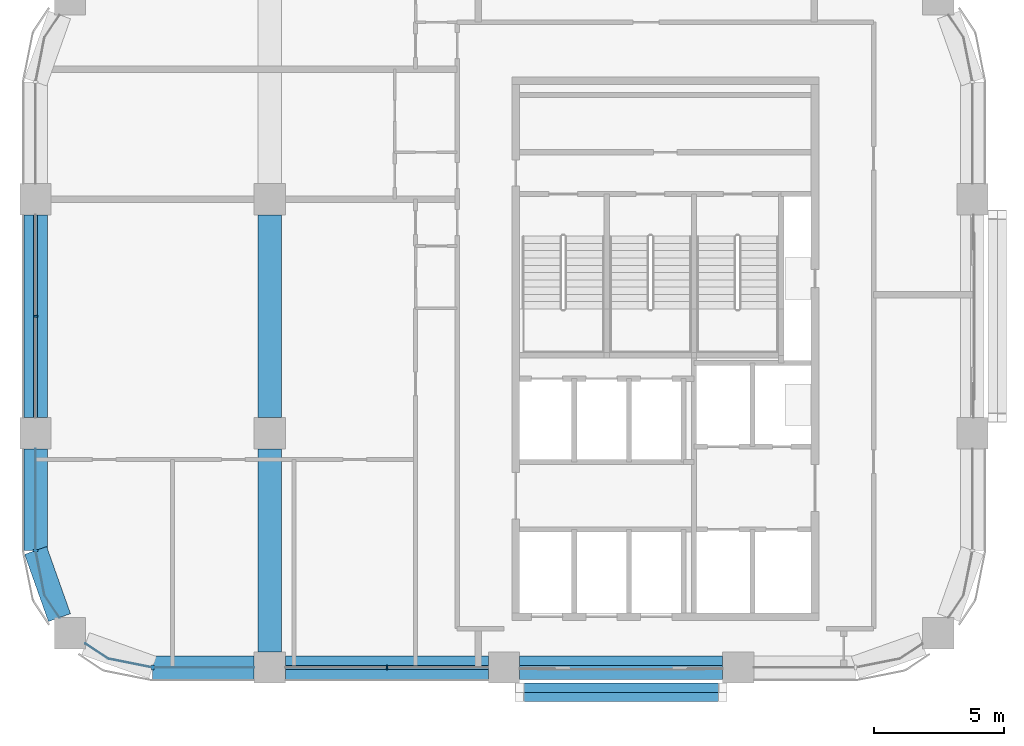
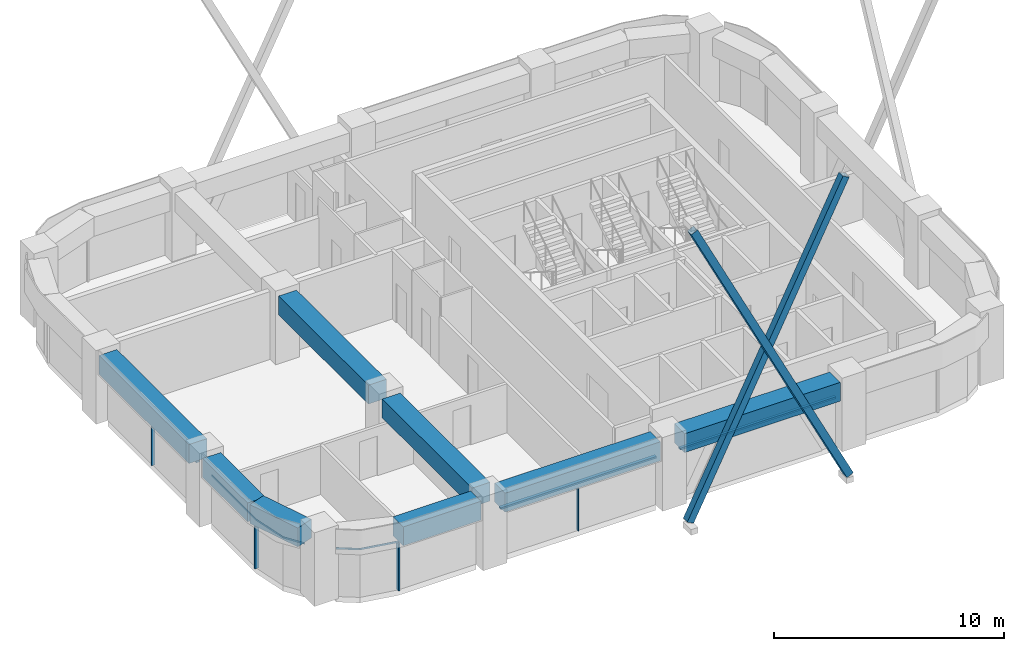
# One storey, part 2 of 10: 11 members, 8 beams, 5 elements without a shape of their own.
"""IFC4 building model written with IfcOpenShell, lengths in metres."""

from ifc_helpers import new_model, si_unit, direction, frame, origin, origin_2d, place, context, subcontext, project, spatial, polyline, rectangle, hollow_rectangle, outline, extrude, material, material_profile, profile_set, type_object, element, aggregate, save


model = new_model("IFC4")

# Units and contexts
model_context = context("Model", 3, precision=1e-05, world=origin(), true_north=direction((0.0, 1.0)))
body_context = subcontext(model_context, "Body", "Model", "MODEL_VIEW")
ifc_project = project(units=[si_unit("LENGTHUNIT", "METRE"), si_unit("AREAUNIT", "SQUARE_METRE"), si_unit("VOLUMEUNIT", "CUBIC_METRE"), si_unit("PLANEANGLEUNIT", "RADIAN"), si_unit("MASSUNIT", "GRAM", prefix="KILO")], contexts=[model_context])

# Site, building, storey
site_placement = place(None, origin())
site = spatial("IfcSite", under=ifc_project, at=site_placement, CompositionType="ELEMENT")
building_placement = place(site_placement, origin())
building = spatial("IfcBuilding", under=site, at=building_placement, Name="Tessera Arch", CompositionType="ELEMENT")
storey_placement = place(building_placement, frame((0.0, 0.0, 301.199951171875)))
storey = spatial("IfcBuildingStorey", under=building, at=storey_placement, Name="L72", CompositionType="ELEMENT", Elevation=301.199951171875)

# Members
ifc_material_1 = material(Name="Steel A500 Gr C", Category="steel")
ifc_material_profile_1 = material_profile(ifc_material_1, hollow_rectangle(XDim=0.355712890625, YDim=0.355712890625, WallThickness=0.01171875, at=origin_2d()), Name="HSS14x14x1/2")
ifc_profile_set_1 = profile_set([ifc_material_profile_1], Name="Steel A500 Gr C")
member_type_1 = type_object("IfcMemberType", Name="Brace HSS14x14x1/2 Steel A500 Gr C", PredefinedType="BRACE", material=ifc_profile_set_1)
for number, where, z_axis, x_axis, name in (
    (1, (36.60009765625, 26.22216796875, -0.800048828125), (0.447202397208, 0.0, 0.894432790058), (0.0, 1.0, 0.0), "Brace S27.18-2 A L72-L75"),
    (2, (44.39990234375, 25.86669921875, -0.800048828125), (-0.447202397208, 0.0, 0.894432790058), (0.0, -1.0, 0.0), "Brace S27.18-2 B L72-L75"),
):
    element("IfcMember", number, at=place(storey_placement, frame(where, z_axis=z_axis, x_axis=x_axis)), inside=storey, type_object=member_type_1, Name=name, PredefinedType="BRACE", context=body_context, shape_type="SweptSolid", body=[
        extrude(hollow_rectangle(XDim=0.355712890625, YDim=0.355712890625, WallThickness=0.01171875, at=origin_2d()), origin(), (0.0, 0.0, 1.0), 17.44140625),
    ])

# Curtain wall, member
ifc_material_2 = material(Name="CW1 curtain wall")
curtain_wall_type_1 = type_object("IfcCurtainWallType", Name="CW1 curtain wall", PredefinedType="NOTDEFINED", material=ifc_material_2)
curtain_wall_1_placement = place(storey_placement, origin())
curtain_wall_1 = element("IfcCurtainWall", 3, at=curtain_wall_1_placement, inside=storey, type_object=curtain_wall_type_1, Name="CW1 curtain wall W18.27/1 L72", PredefinedType="NOTDEFINED")
ifc_material_3 = material(Name="Anodised aluminium pale metal", Category="aluminium")
ifc_material_profile_2 = material_profile(ifc_material_3, rectangle(XDim=0.159912109375, YDim=0.06005859375, at=origin_2d()), Name="AL 60x160")
ifc_profile_set_2 = profile_set([ifc_material_profile_2], Name="Anodised aluminium pale metal")
member_type_2 = type_object("IfcMemberType", Name="CW1 mullion", PredefinedType="MULLION", material=ifc_profile_set_2)
member_1_placement = place(storey_placement, frame((18.0, 40.5, 0.0), z_axis=(0.0, 0.0, 1.0), x_axis=(1.0, 0.0, 0.0)))
member_1 = element("IfcMember", 4, at=member_1_placement, type_object=member_type_2, Name="CW1 mullion W18.27/1 1", PredefinedType="MULLION", context=body_context, shape_type="SweptSolid", body=[
    extrude(rectangle(XDim=0.159912109375, YDim=0.06005859375, at=origin_2d()), origin(), (0.0, 0.0, 1.0), 2.5),
])

curtain_wall_2_placement = place(storey_placement, origin())
curtain_wall_2 = element("IfcCurtainWall", 5, at=curtain_wall_2_placement, inside=storey, type_object=curtain_wall_type_1, Name="CW1 curtain wall S27.18/1 L72", PredefinedType="NOTDEFINED")
member_2_placement = place(storey_placement, frame((31.5, 27.0, 0.0), z_axis=(0.0, 0.0, 1.0), x_axis=(0.0, 1.0, 0.0)))
member_2 = element("IfcMember", 6, at=member_2_placement, type_object=member_type_2, Name="CW1 mullion S27.18/1 1", PredefinedType="MULLION", context=body_context, shape_type="SweptSolid", body=[
    extrude(rectangle(XDim=0.159912109375, YDim=0.06005859375, at=origin_2d()), origin(), (0.0, 0.0, 1.0), 2.5),
])

# Member
ifc_material_4 = material(Name="Anodised aluminium pale metal", Category="aluminium")
ifc_material_profile_3 = material_profile(ifc_material_4, rectangle(XDim=0.159912109375, YDim=0.10009765625, at=origin_2d()), Name="AL 160x100")
ifc_profile_set_3 = profile_set([ifc_material_profile_3], Name="Anodised aluminium pale metal")
member_type_3 = type_object("IfcMemberType", Name="CW1 transom", PredefinedType="USERDEFINED", material=ifc_profile_set_3)
member_3_placement = place(storey_placement, frame((18.0, 44.39990234375, 2.550048828125), z_axis=(0.0, -1.0, 0.0), x_axis=(1.0, 0.0, 0.0)))
member_3 = element("IfcMember", 7, at=member_3_placement, type_object=member_type_3, Name="CW1 transom W18.27/1 1.1", ObjectType="TRANSOM", PredefinedType="USERDEFINED", context=body_context, shape_type="SweptSolid", body=[
    extrude(rectangle(XDim=0.159912109375, YDim=0.10009765625, at=origin_2d()), origin(), (0.0, 0.0, 1.0), 7.7998046875),
])

aggregate(curtain_wall_1, [member_1, member_3])

member_4_placement = place(storey_placement, frame((27.60009765625, 27.0, 2.550048828125), z_axis=(1.0, 0.0, 0.0), x_axis=(0.0, 1.0, 0.0)))
member_4 = element("IfcMember", 8, at=member_4_placement, type_object=member_type_3, Name="CW1 transom S27.18/1 1.1", ObjectType="TRANSOM", PredefinedType="USERDEFINED", context=body_context, shape_type="SweptSolid", body=[
    extrude(rectangle(XDim=0.159912109375, YDim=0.10009765625, at=origin_2d()), origin(), (0.0, 0.0, 1.0), 7.7998046875),
])

aggregate(curtain_wall_2, [member_2, member_4])

# Curtain wall, member
ifc_material_5 = material(Name="CW2 curtain wall")
curtain_wall_type_2 = type_object("IfcCurtainWallType", Name="CW2 curtain wall", PredefinedType="NOTDEFINED", material=ifc_material_5)
curtain_wall_3_placement = place(storey_placement, origin())
curtain_wall_3 = element("IfcCurtainWall", 9, at=curtain_wall_3_placement, inside=storey, type_object=curtain_wall_type_2, Name="CW2 curtain wall W18.27/2 L72", PredefinedType="NOTDEFINED")
ifc_material_6 = material(Name="Anodised aluminium pale metal", Category="aluminium")
ifc_material_profile_4 = material_profile(ifc_material_6, rectangle(XDim=0.199951171875, YDim=0.080078125, at=origin_2d()), Name="AL 80x200")
ifc_profile_set_4 = profile_set([ifc_material_profile_4], Name="Anodised aluminium pale metal")
member_type_4 = type_object("IfcMemberType", Name="CW2 mullion", PredefinedType="MULLION", material=ifc_profile_set_4)
member_5_placement = place(storey_placement, frame((18.0, 31.5, 0.0), z_axis=(0.0, 0.0, 1.0), x_axis=(1.0, 0.0, 0.0)))
member_5 = element("IfcMember", 10, at=member_5_placement, type_object=member_type_4, Name="CW2 mullion W18.27/2 1", PredefinedType="MULLION", context=body_context, shape_type="SweptSolid", body=[
    extrude(rectangle(XDim=0.199951171875, YDim=0.080078125, at=origin_2d()), origin(), (0.0, 0.0, 1.0), 2.5),
])

curtain_wall_4_placement = place(storey_placement, origin())
curtain_wall_4 = element("IfcCurtainWall", 11, at=curtain_wall_4_placement, inside=storey, type_object=curtain_wall_type_2, Name="CW2 curtain wall S27.18/0 L72", PredefinedType="NOTDEFINED")
member_6_placement = place(storey_placement, frame((22.5, 27.0, 0.0), z_axis=(0.0, 0.0, 1.0), x_axis=(0.0, 1.0, 0.0)))
member_6 = element("IfcMember", 12, at=member_6_placement, type_object=member_type_4, Name="CW2 mullion S27.18/0 1", PredefinedType="MULLION", context=body_context, shape_type="SweptSolid", body=[
    extrude(rectangle(XDim=0.199951171875, YDim=0.080078125, at=origin_2d()), origin(), (0.0, 0.0, 1.0), 2.5),
])

# Member
ifc_material_7 = material(Name="Anodised aluminium pale metal", Category="aluminium")
ifc_material_profile_5 = material_profile(ifc_material_7, rectangle(XDim=0.199951171875, YDim=0.10009765625, at=origin_2d()), Name="AL 200x100")
ifc_profile_set_5 = profile_set([ifc_material_profile_5], Name="Anodised aluminium pale metal")
member_type_5 = type_object("IfcMemberType", Name="CW2 transom", PredefinedType="USERDEFINED", material=ifc_profile_set_5)
member_7_placement = place(storey_placement, frame((0.0, 0.0, 2.5)))
member_7 = element("IfcMember", 13, at=member_7_placement, type_object=member_type_5, Name="CW2 transom W18.27/2 1", ObjectType="TRANSOM", PredefinedType="USERDEFINED", context=body_context, shape_type="SweptSolid", body=[
    extrude(outline(polyline([(18.010009765625, 31.5009765625), (18.010009765625, 35.39990234375), (17.989990234375, 35.39990234375), (17.989990234375, 31.4990234375), (18.3330078125, 29.77392578125), (18.90869140625, 28.912353515625), (18.92529296875, 28.923583984375), (18.351806640625, 29.78173828125), (18.010009765625, 31.5009765625)])), origin(), (0.0, 0.0, 1.0), 0.10009765625),
])

aggregate(curtain_wall_3, [member_5, member_7])

member_8_placement = place(storey_placement, frame((0.0, 0.0, 2.5)))
member_8 = element("IfcMember", 14, at=member_8_placement, type_object=member_type_5, Name="CW2 transom S27.18/0 1", ObjectType="TRANSOM", PredefinedType="USERDEFINED", context=body_context, shape_type="SweptSolid", body=[
    extrude(outline(polyline([(20.78173828125, 27.351806640625), (19.923583984375, 27.92529296875), (19.912353515625, 27.90869140625), (20.77392578125, 27.3330078125), (22.4990234375, 26.989990234375), (26.39990234375, 26.989990234375), (26.39990234375, 27.010009765625), (22.5009765625, 27.010009765625), (20.78173828125, 27.351806640625)])), origin(), (0.0, 0.0, 1.0), 0.10009765625),
])

aggregate(curtain_wall_4, [member_6, member_8])

# Curtain wall, member
ifc_material_8 = material(Name="CW3 curtain wall")
curtain_wall_type_3 = type_object("IfcCurtainWallType", Name="CW3 curtain wall", PredefinedType="NOTDEFINED", material=ifc_material_8)
curtain_wall_5_placement = place(storey_placement, origin())
curtain_wall_5 = element("IfcCurtainWall", 15, at=curtain_wall_5_placement, inside=storey, type_object=curtain_wall_type_3, Name="CW3 curtain wall S27.18/2 L72", PredefinedType="NOTDEFINED")
ifc_material_9 = material(Name="Anodised aluminium pale metal", Category="aluminium")
ifc_material_profile_6 = material_profile(ifc_material_9, rectangle(XDim=0.139892578125, YDim=0.10009765625, at=origin_2d()), Name="AL 140x100")
ifc_profile_set_6 = profile_set([ifc_material_profile_6], Name="Anodised aluminium pale metal")
member_type_6 = type_object("IfcMemberType", Name="CW3 transom", PredefinedType="USERDEFINED", material=ifc_profile_set_6)
member_9_placement = place(storey_placement, frame((36.60009765625, 27.0, 2.550048828125), z_axis=(1.0, 0.0, 0.0), x_axis=(0.0, 1.0, 0.0)))
member_9 = element("IfcMember", 16, at=member_9_placement, type_object=member_type_6, Name="CW3 transom S27.18/2 1.1", ObjectType="TRANSOM", PredefinedType="USERDEFINED", context=body_context, shape_type="SweptSolid", body=[
    extrude(rectangle(XDim=0.139892578125, YDim=0.10009765625, at=origin_2d()), origin(), (0.0, 0.0, 1.0), 7.7998046875),
])
aggregate(curtain_wall_5, [member_9])

# Beams
ifc_material_10 = material(Name="Concrete C60/75", Category="concrete")
ifc_material_profile_7 = material_profile(ifc_material_10, rectangle(XDim=0.89990234375, YDim=1.0, at=origin_2d()), Name="RC spandrel beam 900 x 1000 Concrete C60/75")
ifc_profile_set_7 = profile_set([ifc_material_profile_7], Name="Concrete C60/75")
beam_type = type_object("IfcBeamType", Name="RC spandrel beam 900 x 1000 Concrete C60/75", PredefinedType="BEAM", material=ifc_profile_set_7)
beam_1_placement = place(storey_placement, frame((18.0, 44.39990234375, 3.10009765625), z_axis=(0.0, -1.0, 0.0), x_axis=(1.0, 0.0, 0.0)))
element("IfcBeam", 17, at=beam_1_placement, inside=storey, type_object=beam_type, Name="Spandrel beam L72 W18.27/1", PredefinedType="BEAM", context=body_context, shape_type="SweptSolid", body=[
    extrude(rectangle(XDim=0.89990234375, YDim=1.0, at=origin_2d()), origin(), (0.0, 0.0, 1.0), 7.7998046875),
])
beam_2_placement = place(storey_placement, frame((18.0, 35.39990234375, 3.10009765625), z_axis=(0.0, -1.0, 0.0), x_axis=(1.0, 0.0, 0.0)))
element("IfcBeam", 18, at=beam_2_placement, inside=storey, type_object=beam_type, Name="Spandrel beam L72 W18.27/2.1", PredefinedType="BEAM", context=body_context, shape_type="SweptSolid", body=[
    extrude(rectangle(XDim=0.89990234375, YDim=1.0, at=origin_2d()), origin(), (0.0, 0.0, 1.0), 3.89990234375),
])
beam_3_placement = place(storey_placement, frame((18.0, 31.5, 3.10009765625), z_axis=(0.334665114373, -0.942337127159, 0.0), x_axis=(0.942337127159, 0.334665114373, 0.0)))
element("IfcBeam", 19, at=beam_3_placement, inside=storey, type_object=beam_type, Name="Spandrel beam L72 W18.27/2.2", PredefinedType="BEAM", context=body_context, shape_type="SweptSolid", body=[
    extrude(rectangle(XDim=0.89990234375, YDim=1.0, at=origin_2d()), origin(), (0.0, 0.0, 1.0), 2.739990234375),
])
beam_4_placement = place(storey_placement, frame((22.5, 27.0, 3.10009765625), z_axis=(1.0, 0.0, 0.0), x_axis=(0.0, 1.0, 0.0)))
element("IfcBeam", 20, at=beam_4_placement, inside=storey, type_object=beam_type, Name="Spandrel beam L72 S27.18/0.2", PredefinedType="BEAM", context=body_context, shape_type="SweptSolid", body=[
    extrude(rectangle(XDim=0.89990234375, YDim=1.0, at=origin_2d()), origin(), (0.0, 0.0, 1.0), 3.89990234375),
])
for number, where, z_axis, x_axis, name in (
    (21, (27.60009765625, 27.0, 3.10009765625), (1.0, 0.0, 0.0), (0.0, 1.0, 0.0), "Spandrel beam L72 S27.18/1"),
    (22, (36.60009765625, 27.0, 3.10009765625), (1.0, 0.0, 0.0), (0.0, 1.0, 0.0), "Spandrel beam L72 S27.18/2"),
    (23, (27.0, 27.60009765625, 3.10009765625), (0.0, 1.0, 0.0), (-1.0, 0.0, 0.0), "Interface beam L72 I0C4D-C4E"),
    (24, (27.0, 36.60009765625, 3.10009765625), (0.0, 1.0, 0.0), (-1.0, 0.0, 0.0), "Interface beam L72 I0C4E-C4F"),
):
    element("IfcBeam", number, at=place(storey_placement, frame(where, z_axis=z_axis, x_axis=x_axis)), inside=storey, type_object=beam_type, Name=name, PredefinedType="BEAM", context=body_context, shape_type="SweptSolid", body=[
        extrude(rectangle(XDim=0.89990234375, YDim=1.0, at=origin_2d()), origin(), (0.0, 0.0, 1.0), 7.7998046875),
    ])

save(model, "model.ifc")
